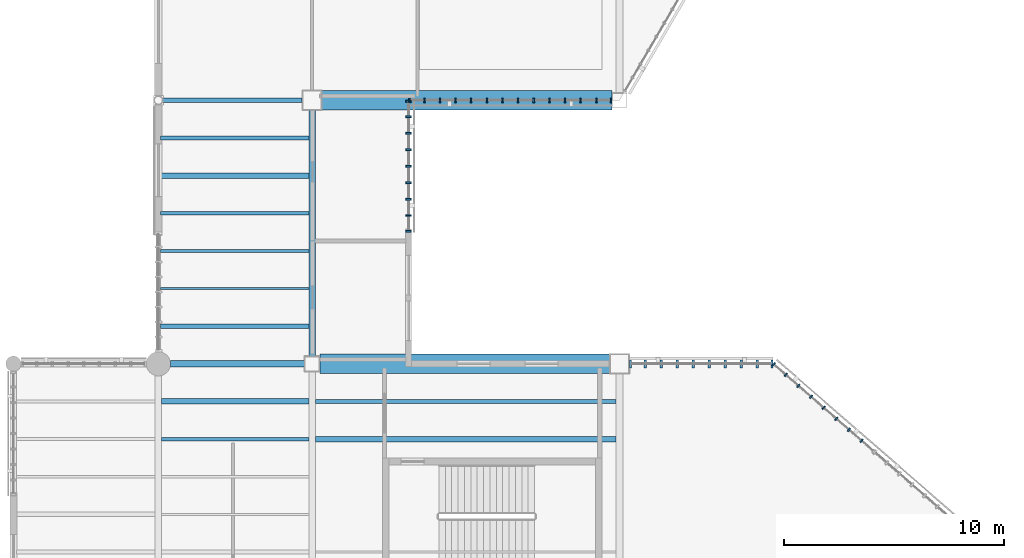
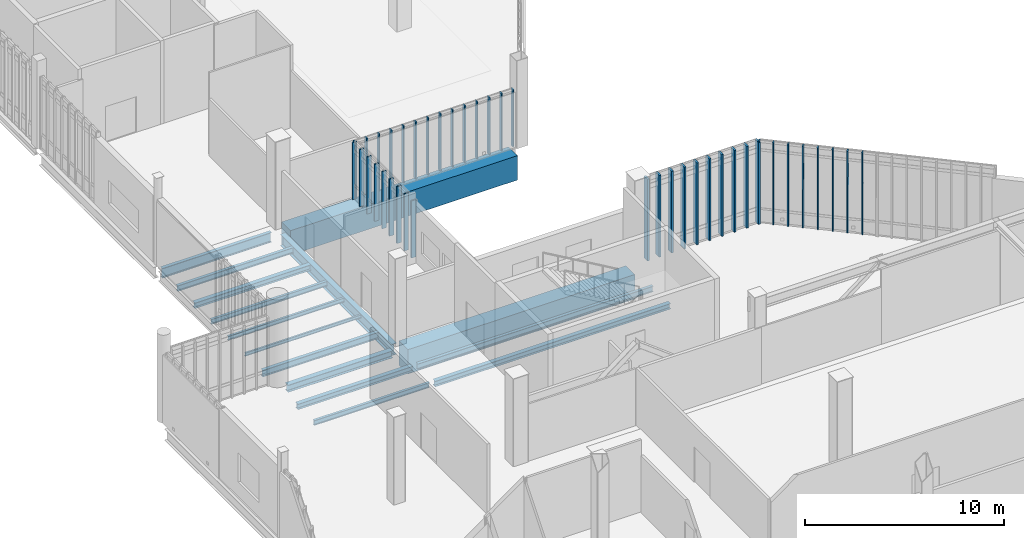
# One storey, part 40 of 135: 41 members, 15 beams, 4 elements without a shape of their own.
"""IFC4 building model written with IfcOpenShell, lengths in metres."""

from ifc_helpers import new_model, si_unit, direction, frame, origin, origin_2d, place, context, subcontext, project, spatial, rectangle, i_section, extrude, material, material_profile, profile_set, type_object, element, aggregate, save


model = new_model("IFC4")

# Units and contexts
model_context = context("Model", 3, precision=1e-05, world=origin(), true_north=direction((0.0, 1.0)))
body_context = subcontext(model_context, "Body", "Model", "MODEL_VIEW")
ifc_project = project(units=[si_unit("LENGTHUNIT", "METRE"), si_unit("AREAUNIT", "SQUARE_METRE"), si_unit("VOLUMEUNIT", "CUBIC_METRE"), si_unit("PLANEANGLEUNIT", "RADIAN"), si_unit("MASSUNIT", "GRAM", prefix="KILO")], contexts=[model_context])

# Site, building, storey
site_placement = place(None, origin())
site = spatial("IfcSite", under=ifc_project, at=site_placement, CompositionType="ELEMENT")
building_placement = place(site_placement, origin())
building = spatial("IfcBuilding", under=site, at=building_placement, Name="Larkvane Passage Sports Hall", CompositionType="ELEMENT")
storey_placement = place(building_placement, frame((0.0, 0.0, 16.800048828125)))
storey = spatial("IfcBuildingStorey", under=building, at=storey_placement, Name="L03", CompositionType="ELEMENT", Elevation=16.800048828125)

# Beams
ifc_material_1 = material(Name="Steel S355JR", Category="steel")
ifc_material_profile_1 = material_profile(ifc_material_1, i_section(OverallWidth=0.300048828125, OverallDepth=0.43994140625, WebThickness=0.010986328125, FlangeThickness=0.01806640625, FilletRadius=0.01806640625, at=origin_2d()), Name="H-440x300x11x18")
ifc_profile_set_1 = profile_set([ifc_material_profile_1], Name="Steel S355JR")
beam_type_1 = type_object("IfcBeamType", Name="BM-STL-H440", PredefinedType="BEAM", material=ifc_profile_set_1)
beam_1_placement = place(storey_placement, frame((125.14990234375, 51.60009765625, -0.56005859375), z_axis=(1.0, 0.0, 0.0), x_axis=(0.0, 1.0, 0.0)))
element("IfcBeam", 1, at=beam_1_placement, inside=storey, type_object=beam_type_1, Name="Girder BM5-X-L03-G-0991", PredefinedType="BEAM", context=body_context, shape_type="SweptSolid", body=[
    extrude(i_section(OverallWidth=0.300048828125, OverallDepth=0.43994140625, WebThickness=0.010986328125, FlangeThickness=0.01806640625, FilletRadius=0.01806640625, at=origin_2d()), origin(), (0.0, 0.0, 1.0), 6.10009765625),
])
ifc_material_profile_2 = material_profile(ifc_material_1, i_section(OverallWidth=0.199951171875, OverallDepth=0.60009765625, WebThickness=0.010986328125, FlangeThickness=0.01708984375, FilletRadius=0.01806640625, at=origin_2d()), Name="H-600x200x11x17")
ifc_profile_set_2 = profile_set([ifc_material_profile_2], Name="Steel S355JR")
beam_type_2 = type_object("IfcBeamType", Name="BM-STL-H600", PredefinedType="BEAM", material=ifc_profile_set_2)
beam_2_placement = place(storey_placement, frame((124.80322265625, 63.60009765625, -0.64013671875), z_axis=(1.0, 0.0, 0.0), x_axis=(0.0, 1.0, 0.0)))
element("IfcBeam", 2, at=beam_2_placement, inside=storey, type_object=beam_type_2, Name="Girder BM5-X-L03-H-0995", PredefinedType="BEAM", context=body_context, shape_type="SweptSolid", body=[
    extrude(i_section(OverallWidth=0.199951171875, OverallDepth=0.60009765625, WebThickness=0.010986328125, FlangeThickness=0.01708984375, FilletRadius=0.01806640625, at=origin_2d()), origin(), (0.0, 0.0, 1.0), 6.3466796875),
])
ifc_material_2 = material(Name="Steel S460N", Category="steel")
ifc_material_profile_3 = material_profile(ifc_material_2, i_section(OverallWidth=0.300048828125, OverallDepth=0.699951171875, WebThickness=0.012939453125, FlangeThickness=0.02392578125, FilletRadius=0.02197265625, at=origin_2d()), Name="H-700x300x13x24")
ifc_profile_set_3 = profile_set([ifc_material_profile_3], Name="Steel S460N")
beam_type_3 = type_object("IfcBeamType", Name="BM-STL-H700", PredefinedType="BEAM", material=ifc_profile_set_3)
beam_3_placement = place(storey_placement, frame((131.60009765625, 51.949951171875, -0.68994140625), z_axis=(0.0, 1.0, 0.0), x_axis=(-1.0, 0.0, 0.0)))
element("IfcBeam", 3, at=beam_3_placement, inside=storey, type_object=beam_type_3, Name="Girder BM5-Y-L03-18-1047", PredefinedType="BEAM", context=body_context, shape_type="SweptSolid", body=[
    extrude(i_section(OverallWidth=0.300048828125, OverallDepth=0.699951171875, WebThickness=0.012939453125, FlangeThickness=0.02392578125, FilletRadius=0.02197265625, at=origin_2d()), origin(), (0.0, 0.0, 1.0), 11.199951171875),
])

# Curtain wall, members
ifc_material_3 = material(Name="Thermally broken aluminium and low-E glazing", Category="aluminium")
curtain_wall_type_1 = type_object("IfcCurtainWallType", Name="CW-CLINIC", PredefinedType="USERDEFINED", material=ifc_material_3)
curtain_wall_1_placement = place(storey_placement, origin())
curtain_wall_1 = element("IfcCurtainWall", 4, at=curtain_wall_1_placement, inside=storey, type_object=curtain_wall_type_1, Name="Curtain wall CW5-L03-111", ObjectType="UNITISED CURTAIN WALL", PredefinedType="USERDEFINED")
ifc_material_4 = material(Name="Anodised aluminium 6063-T6", Category="aluminium")
ifc_material_profile_4 = material_profile(ifc_material_4, rectangle(XDim=0.110107421875, YDim=0.360107421875, at=origin_2d()), Name="ALU-MUL-110x360")
ifc_profile_set_4 = profile_set([ifc_material_profile_4], Name="Anodised aluminium 6063-T6")
member_type_1 = type_object("IfcMemberType", Name="CW-MUL-110x360", PredefinedType="MULLION", material=ifc_profile_set_4)
member_1_placement = place(storey_placement, frame((146.10107421875, 51.60009765625, 0.0), z_axis=(0.0, 0.0, 1.0), x_axis=(1.0, 0.0, 0.0)))
member_1 = element("IfcMember", 5, at=member_1_placement, type_object=member_type_1, Name="CW-05 mullion 1", PredefinedType="MULLION", context=body_context, shape_type="SweptSolid", body=[
    extrude(rectangle(XDim=0.110107421875, YDim=0.360107421875, at=origin_2d()), origin(), (0.0, 0.0, 1.0), 5.030029296875),
])
member_2_placement = place(storey_placement, frame((146.774169921875, 51.60009765625, 0.0), z_axis=(0.0, 0.0, 1.0), x_axis=(1.0, 0.0, 0.0)))
member_2 = element("IfcMember", 6, at=member_2_placement, type_object=member_type_1, Name="CW-05 mullion 2", PredefinedType="MULLION", context=body_context, shape_type="SweptSolid", body=[
    extrude(rectangle(XDim=0.110107421875, YDim=0.360107421875, at=origin_2d()), origin(), (0.0, 0.0, 1.0), 5.030029296875),
])
member_3_placement = place(storey_placement, frame((147.50244140625, 51.60009765625, 0.0), z_axis=(0.0, 0.0, 1.0), x_axis=(1.0, 0.0, 0.0)))
member_3 = element("IfcMember", 7, at=member_3_placement, type_object=member_type_1, Name="CW-05 mullion 3", PredefinedType="MULLION", context=body_context, shape_type="SweptSolid", body=[
    extrude(rectangle(XDim=0.110107421875, YDim=0.360107421875, at=origin_2d()), origin(), (0.0, 0.0, 1.0), 5.030029296875),
])
member_4_placement = place(storey_placement, frame((148.230712890625, 51.60009765625, 0.0), z_axis=(0.0, 0.0, 1.0), x_axis=(1.0, 0.0, 0.0)))
member_4 = element("IfcMember", 8, at=member_4_placement, type_object=member_type_1, Name="CW-05 mullion 4", PredefinedType="MULLION", context=body_context, shape_type="SweptSolid", body=[
    extrude(rectangle(XDim=0.110107421875, YDim=0.360107421875, at=origin_2d()), origin(), (0.0, 0.0, 1.0), 5.030029296875),
])
member_5_placement = place(storey_placement, frame((148.958984375, 51.60009765625, 0.0), z_axis=(0.0, 0.0, 1.0), x_axis=(1.0, 0.0, 0.0)))
member_5 = element("IfcMember", 9, at=member_5_placement, type_object=member_type_1, Name="CW-05 mullion 5", PredefinedType="MULLION", context=body_context, shape_type="SweptSolid", body=[
    extrude(rectangle(XDim=0.110107421875, YDim=0.360107421875, at=origin_2d()), origin(), (0.0, 0.0, 1.0), 5.030029296875),
])
member_6_placement = place(storey_placement, frame((149.68701171875, 51.60009765625, 0.0), z_axis=(0.0, 0.0, 1.0), x_axis=(1.0, 0.0, 0.0)))
member_6 = element("IfcMember", 10, at=member_6_placement, type_object=member_type_1, Name="CW-05 mullion 6", PredefinedType="MULLION", context=body_context, shape_type="SweptSolid", body=[
    extrude(rectangle(XDim=0.110107421875, YDim=0.360107421875, at=origin_2d()), origin(), (0.0, 0.0, 1.0), 5.030029296875),
])
member_7_placement = place(storey_placement, frame((150.415283203125, 51.60009765625, 0.0), z_axis=(0.0, 0.0, 1.0), x_axis=(1.0, 0.0, 0.0)))
member_7 = element("IfcMember", 11, at=member_7_placement, type_object=member_type_1, Name="CW-05 mullion 7", PredefinedType="MULLION", context=body_context, shape_type="SweptSolid", body=[
    extrude(rectangle(XDim=0.110107421875, YDim=0.360107421875, at=origin_2d()), origin(), (0.0, 0.0, 1.0), 5.030029296875),
])
member_8_placement = place(storey_placement, frame((151.1435546875, 51.60009765625, 0.0), z_axis=(0.0, 0.0, 1.0), x_axis=(1.0, 0.0, 0.0)))
member_8 = element("IfcMember", 12, at=member_8_placement, type_object=member_type_1, Name="CW-05 mullion 8", PredefinedType="MULLION", context=body_context, shape_type="SweptSolid", body=[
    extrude(rectangle(XDim=0.110107421875, YDim=0.360107421875, at=origin_2d()), origin(), (0.0, 0.0, 1.0), 5.030029296875),
])
member_9_placement = place(storey_placement, frame((151.871826171875, 51.60009765625, 0.0), z_axis=(0.0, 0.0, 1.0), x_axis=(1.0, 0.0, 0.0)))
member_9 = element("IfcMember", 13, at=member_9_placement, type_object=member_type_1, Name="CW-05 mullion 9", PredefinedType="MULLION", context=body_context, shape_type="SweptSolid", body=[
    extrude(rectangle(XDim=0.110107421875, YDim=0.360107421875, at=origin_2d()), origin(), (0.0, 0.0, 1.0), 5.030029296875),
])
member_10_placement = place(storey_placement, frame((152.544921875, 51.60009765625, 0.0), z_axis=(0.0, 0.0, 1.0), x_axis=(1.0, 0.0, 0.0)))
member_10 = element("IfcMember", 14, at=member_10_placement, type_object=member_type_1, Name="CW-05 mullion 10", PredefinedType="MULLION", context=body_context, shape_type="SweptSolid", body=[
    extrude(rectangle(XDim=0.110107421875, YDim=0.360107421875, at=origin_2d()), origin(), (0.0, 0.0, 1.0), 5.030029296875),
])
aggregate(curtain_wall_1, [member_1, member_2, member_3, member_4, member_5, member_6, member_7, member_8, member_9, member_10])

curtain_wall_type_2 = type_object("IfcCurtainWallType", Name="CW-UNIT-COURT", PredefinedType="USERDEFINED", material=ifc_material_3)
curtain_wall_2_placement = place(storey_placement, origin())
curtain_wall_2 = element("IfcCurtainWall", 15, at=curtain_wall_2_placement, inside=storey, type_object=curtain_wall_type_2, Name="Curtain wall CW5-L03-112", ObjectType="UNITISED CURTAIN WALL", PredefinedType="USERDEFINED")
ifc_material_profile_5 = material_profile(ifc_material_4, rectangle(XDim=0.06494140625, YDim=0.179931640625, at=origin_2d()), Name="ALU-MUL-65x180")
ifc_profile_set_5 = profile_set([ifc_material_profile_5], Name="Anodised aluminium 6063-T6")
member_type_2 = type_object("IfcMemberType", Name="CW-MUL-65x180", PredefinedType="MULLION", material=ifc_profile_set_5)
member_11_placement = place(storey_placement, frame((152.62451171875, 51.57861328125, 0.0), z_axis=(0.0, 0.0, 1.0), x_axis=(0.754605522159, -0.65617871493, 0.0)))
member_11 = element("IfcMember", 16, at=member_11_placement, type_object=member_type_2, Name="CW-01 mullion 1", PredefinedType="MULLION", context=body_context, shape_type="SweptSolid", body=[
    extrude(rectangle(XDim=0.06494140625, YDim=0.179931640625, at=origin_2d()), origin(), (0.0, 0.0, 1.0), 5.030029296875),
])
member_12_placement = place(storey_placement, frame((153.175048828125, 51.10009765625, 0.0), z_axis=(0.0, 0.0, 1.0), x_axis=(0.754605522159, -0.65617871493, 0.0)))
member_12 = element("IfcMember", 17, at=member_12_placement, type_object=member_type_2, Name="CW-01 mullion 2", PredefinedType="MULLION", context=body_context, shape_type="SweptSolid", body=[
    extrude(rectangle(XDim=0.06494140625, YDim=0.179931640625, at=origin_2d()), origin(), (0.0, 0.0, 1.0), 5.030029296875),
])
member_13_placement = place(storey_placement, frame((153.75, 50.60009765625, 0.0), z_axis=(0.0, 0.0, 1.0), x_axis=(0.754605522159, -0.65617871493, 0.0)))
member_13 = element("IfcMember", 18, at=member_13_placement, type_object=member_type_2, Name="CW-01 mullion 3", PredefinedType="MULLION", context=body_context, shape_type="SweptSolid", body=[
    extrude(rectangle(XDim=0.06494140625, YDim=0.179931640625, at=origin_2d()), origin(), (0.0, 0.0, 1.0), 5.030029296875),
])
member_14_placement = place(storey_placement, frame((154.324951171875, 50.10009765625, 0.0), z_axis=(0.0, 0.0, 1.0), x_axis=(0.754605522159, -0.65617871493, 0.0)))
member_14 = element("IfcMember", 19, at=member_14_placement, type_object=member_type_2, Name="CW-01 mullion 4", PredefinedType="MULLION", context=body_context, shape_type="SweptSolid", body=[
    extrude(rectangle(XDim=0.06494140625, YDim=0.179931640625, at=origin_2d()), origin(), (0.0, 0.0, 1.0), 5.030029296875),
])
member_15_placement = place(storey_placement, frame((154.89990234375, 49.60009765625, 0.0), z_axis=(0.0, 0.0, 1.0), x_axis=(0.754605522159, -0.65617871493, 0.0)))
member_15 = element("IfcMember", 20, at=member_15_placement, type_object=member_type_2, Name="CW-01 mullion 5", PredefinedType="MULLION", context=body_context, shape_type="SweptSolid", body=[
    extrude(rectangle(XDim=0.06494140625, YDim=0.179931640625, at=origin_2d()), origin(), (0.0, 0.0, 1.0), 5.030029296875),
])
member_16_placement = place(storey_placement, frame((155.47509765625, 49.10009765625, 0.0), z_axis=(0.0, 0.0, 1.0), x_axis=(0.754605522159, -0.65617871493, 0.0)))
member_16 = element("IfcMember", 21, at=member_16_placement, type_object=member_type_2, Name="CW-01 mullion 6", PredefinedType="MULLION", context=body_context, shape_type="SweptSolid", body=[
    extrude(rectangle(XDim=0.06494140625, YDim=0.179931640625, at=origin_2d()), origin(), (0.0, 0.0, 1.0), 5.030029296875),
])
member_17_placement = place(storey_placement, frame((156.050048828125, 48.60009765625, 0.0), z_axis=(0.0, 0.0, 1.0), x_axis=(0.754605522159, -0.65617871493, 0.0)))
member_17 = element("IfcMember", 22, at=member_17_placement, type_object=member_type_2, Name="CW-01 mullion 7", PredefinedType="MULLION", context=body_context, shape_type="SweptSolid", body=[
    extrude(rectangle(XDim=0.06494140625, YDim=0.179931640625, at=origin_2d()), origin(), (0.0, 0.0, 1.0), 5.030029296875),
])
member_18_placement = place(storey_placement, frame((156.625, 48.10009765625, 0.0), z_axis=(0.0, 0.0, 1.0), x_axis=(0.754605522159, -0.65617871493, 0.0)))
member_18 = element("IfcMember", 23, at=member_18_placement, type_object=member_type_2, Name="CW-01 mullion 8", PredefinedType="MULLION", context=body_context, shape_type="SweptSolid", body=[
    extrude(rectangle(XDim=0.06494140625, YDim=0.179931640625, at=origin_2d()), origin(), (0.0, 0.0, 1.0), 5.030029296875),
])
aggregate(curtain_wall_2, [member_11, member_12, member_13, member_14, member_15, member_16, member_17, member_18])

curtain_wall_type_3 = type_object("IfcCurtainWallType", Name="CW-UNIT-VEIL", PredefinedType="USERDEFINED", material=ifc_material_3)
curtain_wall_3_placement = place(storey_placement, origin())
curtain_wall_3 = element("IfcCurtainWall", 24, at=curtain_wall_3_placement, inside=storey, type_object=curtain_wall_type_3, Name="Curtain wall CW5-L03-109", ObjectType="UNITISED CURTAIN WALL", PredefinedType="USERDEFINED")
ifc_material_profile_6 = material_profile(ifc_material_4, rectangle(XDim=0.070068359375, YDim=0.199951171875, at=origin_2d()), Name="ALU-MUL-70x200")
ifc_profile_set_6 = profile_set([ifc_material_profile_6], Name="Anodised aluminium 6063-T6")
member_type_3 = type_object("IfcMemberType", Name="CW-MUL-70x200", PredefinedType="MULLION", material=ifc_profile_set_6)
member_19_placement = place(storey_placement, frame((145.218994140625, 63.60009765625, 0.0), z_axis=(0.0, 0.0, 1.0), x_axis=(-1.0, 0.0, 0.0)))
member_19 = element("IfcMember", 25, at=member_19_placement, type_object=member_type_3, Name="CW-02 mullion 1", PredefinedType="MULLION", context=body_context, shape_type="SweptSolid", body=[
    extrude(rectangle(XDim=0.070068359375, YDim=0.199951171875, at=origin_2d()), origin(), (0.0, 0.0, 1.0), 3.508056640625),
])
member_20_placement = place(storey_placement, frame((144.542236328125, 63.60009765625, 0.0), z_axis=(0.0, 0.0, 1.0), x_axis=(-1.0, 0.0, 0.0)))
member_20 = element("IfcMember", 26, at=member_20_placement, type_object=member_type_3, Name="CW-02 mullion 2", PredefinedType="MULLION", context=body_context, shape_type="SweptSolid", body=[
    extrude(rectangle(XDim=0.070068359375, YDim=0.199951171875, at=origin_2d()), origin(), (0.0, 0.0, 1.0), 3.508056640625),
])
member_21_placement = place(storey_placement, frame((143.830322265625, 63.60009765625, 0.0), z_axis=(0.0, 0.0, 1.0), x_axis=(-1.0, 0.0, 0.0)))
member_21 = element("IfcMember", 27, at=member_21_placement, type_object=member_type_3, Name="CW-02 mullion 3", PredefinedType="MULLION", context=body_context, shape_type="SweptSolid", body=[
    extrude(rectangle(XDim=0.070068359375, YDim=0.199951171875, at=origin_2d()), origin(), (0.0, 0.0, 1.0), 3.508056640625),
])
member_22_placement = place(storey_placement, frame((143.118408203125, 63.60009765625, 0.0), z_axis=(0.0, 0.0, 1.0), x_axis=(-1.0, 0.0, 0.0)))
member_22 = element("IfcMember", 28, at=member_22_placement, type_object=member_type_3, Name="CW-02 mullion 4", PredefinedType="MULLION", context=body_context, shape_type="SweptSolid", body=[
    extrude(rectangle(XDim=0.070068359375, YDim=0.199951171875, at=origin_2d()), origin(), (0.0, 0.0, 1.0), 3.508056640625),
])
member_23_placement = place(storey_placement, frame((142.406494140625, 63.60009765625, 0.0), z_axis=(0.0, 0.0, 1.0), x_axis=(-1.0, 0.0, 0.0)))
member_23 = element("IfcMember", 29, at=member_23_placement, type_object=member_type_3, Name="CW-02 mullion 5", PredefinedType="MULLION", context=body_context, shape_type="SweptSolid", body=[
    extrude(rectangle(XDim=0.070068359375, YDim=0.199951171875, at=origin_2d()), origin(), (0.0, 0.0, 1.0), 3.508056640625),
])
member_24_placement = place(storey_placement, frame((141.69482421875, 63.60009765625, 0.0), z_axis=(0.0, 0.0, 1.0), x_axis=(-1.0, 0.0, 0.0)))
member_24 = element("IfcMember", 30, at=member_24_placement, type_object=member_type_3, Name="CW-02 mullion 6", PredefinedType="MULLION", context=body_context, shape_type="SweptSolid", body=[
    extrude(rectangle(XDim=0.070068359375, YDim=0.199951171875, at=origin_2d()), origin(), (0.0, 0.0, 1.0), 3.508056640625),
])
member_25_placement = place(storey_placement, frame((140.98291015625, 63.60009765625, 0.0), z_axis=(0.0, 0.0, 1.0), x_axis=(-1.0, 0.0, 0.0)))
member_25 = element("IfcMember", 31, at=member_25_placement, type_object=member_type_3, Name="CW-02 mullion 7", PredefinedType="MULLION", context=body_context, shape_type="SweptSolid", body=[
    extrude(rectangle(XDim=0.070068359375, YDim=0.199951171875, at=origin_2d()), origin(), (0.0, 0.0, 1.0), 3.508056640625),
])
member_26_placement = place(storey_placement, frame((140.27099609375, 63.60009765625, 0.0), z_axis=(0.0, 0.0, 1.0), x_axis=(-1.0, 0.0, 0.0)))
member_26 = element("IfcMember", 32, at=member_26_placement, type_object=member_type_3, Name="CW-02 mullion 8", PredefinedType="MULLION", context=body_context, shape_type="SweptSolid", body=[
    extrude(rectangle(XDim=0.070068359375, YDim=0.199951171875, at=origin_2d()), origin(), (0.0, 0.0, 1.0), 3.508056640625),
])
member_27_placement = place(storey_placement, frame((139.559326171875, 63.60009765625, 0.0), z_axis=(0.0, 0.0, 1.0), x_axis=(-1.0, 0.0, 0.0)))
member_27 = element("IfcMember", 33, at=member_27_placement, type_object=member_type_3, Name="CW-02 mullion 9", PredefinedType="MULLION", context=body_context, shape_type="SweptSolid", body=[
    extrude(rectangle(XDim=0.070068359375, YDim=0.199951171875, at=origin_2d()), origin(), (0.0, 0.0, 1.0), 3.508056640625),
])
member_28_placement = place(storey_placement, frame((138.847412109375, 63.60009765625, 0.0), z_axis=(0.0, 0.0, 1.0), x_axis=(-1.0, 0.0, 0.0)))
member_28 = element("IfcMember", 34, at=member_28_placement, type_object=member_type_3, Name="CW-02 mullion 10", PredefinedType="MULLION", context=body_context, shape_type="SweptSolid", body=[
    extrude(rectangle(XDim=0.070068359375, YDim=0.199951171875, at=origin_2d()), origin(), (0.0, 0.0, 1.0), 3.508056640625),
])
member_29_placement = place(storey_placement, frame((138.135498046875, 63.60009765625, 0.0), z_axis=(0.0, 0.0, 1.0), x_axis=(-1.0, 0.0, 0.0)))
member_29 = element("IfcMember", 35, at=member_29_placement, type_object=member_type_3, Name="CW-02 mullion 11", PredefinedType="MULLION", context=body_context, shape_type="SweptSolid", body=[
    extrude(rectangle(XDim=0.070068359375, YDim=0.199951171875, at=origin_2d()), origin(), (0.0, 0.0, 1.0), 3.508056640625),
])
member_30_placement = place(storey_placement, frame((137.423583984375, 63.60009765625, 0.0), z_axis=(0.0, 0.0, 1.0), x_axis=(-1.0, 0.0, 0.0)))
member_30 = element("IfcMember", 36, at=member_30_placement, type_object=member_type_3, Name="CW-02 mullion 12", PredefinedType="MULLION", context=body_context, shape_type="SweptSolid", body=[
    extrude(rectangle(XDim=0.070068359375, YDim=0.199951171875, at=origin_2d()), origin(), (0.0, 0.0, 1.0), 3.508056640625),
])
member_31_placement = place(storey_placement, frame((136.7119140625, 63.60009765625, 0.0), z_axis=(0.0, 0.0, 1.0), x_axis=(-1.0, 0.0, 0.0)))
member_31 = element("IfcMember", 37, at=member_31_placement, type_object=member_type_3, Name="CW-02 mullion 13", PredefinedType="MULLION", context=body_context, shape_type="SweptSolid", body=[
    extrude(rectangle(XDim=0.070068359375, YDim=0.199951171875, at=origin_2d()), origin(), (0.0, 0.0, 1.0), 3.508056640625),
])
member_32_placement = place(storey_placement, frame((136.034912109375, 63.60009765625, 0.0), z_axis=(0.0, 0.0, 1.0), x_axis=(-1.0, 0.0, 0.0)))
member_32 = element("IfcMember", 38, at=member_32_placement, type_object=member_type_3, Name="CW-02 mullion 14", PredefinedType="MULLION", context=body_context, shape_type="SweptSolid", body=[
    extrude(rectangle(XDim=0.070068359375, YDim=0.199951171875, at=origin_2d()), origin(), (0.0, 0.0, 1.0), 3.508056640625),
])
aggregate(curtain_wall_3, [member_19, member_20, member_21, member_22, member_23, member_24, member_25, member_26, member_27, member_28, member_29, member_30, member_31, member_32])

curtain_wall_type_4 = type_object("IfcCurtainWallType", Name="CW-STICK-FOYER", PredefinedType="USERDEFINED", material=ifc_material_3)
curtain_wall_4_placement = place(storey_placement, origin())
curtain_wall_4 = element("IfcCurtainWall", 39, at=curtain_wall_4_placement, inside=storey, type_object=curtain_wall_type_4, Name="Curtain wall CW5-L03-110", ObjectType="STICK CURTAIN WALL", PredefinedType="USERDEFINED")
ifc_material_profile_7 = material_profile(ifc_material_4, rectangle(XDim=0.080078125, YDim=0.25, at=origin_2d()), Name="ALU-MUL-80x250")
ifc_profile_set_7 = profile_set([ifc_material_profile_7], Name="Anodised aluminium 6063-T6")
member_type_4 = type_object("IfcMemberType", Name="CW-MUL-80x250", PredefinedType="MULLION", material=ifc_profile_set_7)
member_33_placement = place(storey_placement, frame((136.0, 63.56005859375, 0.0), z_axis=(0.0, 0.0, 1.0), x_axis=(0.0, -1.0, 0.0)))
member_33 = element("IfcMember", 40, at=member_33_placement, type_object=member_type_4, Name="CW-03 mullion 1", PredefinedType="MULLION", context=body_context, shape_type="SweptSolid", body=[
    extrude(rectangle(XDim=0.080078125, YDim=0.25, at=origin_2d()), origin(), (0.0, 0.0, 1.0), 3.508056640625),
])
member_34_placement = place(storey_placement, frame((136.0, 62.85009765625, 0.0), z_axis=(0.0, 0.0, 1.0), x_axis=(0.0, -1.0, 0.0)))
member_34 = element("IfcMember", 41, at=member_34_placement, type_object=member_type_4, Name="CW-03 mullion 2", PredefinedType="MULLION", context=body_context, shape_type="SweptSolid", body=[
    extrude(rectangle(XDim=0.080078125, YDim=0.25, at=origin_2d()), origin(), (0.0, 0.0, 1.0), 3.508056640625),
])
member_35_placement = place(storey_placement, frame((136.0, 62.10009765625, 0.0), z_axis=(0.0, 0.0, 1.0), x_axis=(0.0, -1.0, 0.0)))
member_35 = element("IfcMember", 42, at=member_35_placement, type_object=member_type_4, Name="CW-03 mullion 3", PredefinedType="MULLION", context=body_context, shape_type="SweptSolid", body=[
    extrude(rectangle(XDim=0.080078125, YDim=0.25, at=origin_2d()), origin(), (0.0, 0.0, 1.0), 3.508056640625),
])
member_36_placement = place(storey_placement, frame((136.0, 61.35009765625, 0.0), z_axis=(0.0, 0.0, 1.0), x_axis=(0.0, -1.0, 0.0)))
member_36 = element("IfcMember", 43, at=member_36_placement, type_object=member_type_4, Name="CW-03 mullion 4", PredefinedType="MULLION", context=body_context, shape_type="SweptSolid", body=[
    extrude(rectangle(XDim=0.080078125, YDim=0.25, at=origin_2d()), origin(), (0.0, 0.0, 1.0), 3.508056640625),
])
member_37_placement = place(storey_placement, frame((136.0, 60.60009765625, 0.0), z_axis=(0.0, 0.0, 1.0), x_axis=(0.0, -1.0, 0.0)))
member_37 = element("IfcMember", 44, at=member_37_placement, type_object=member_type_4, Name="CW-03 mullion 5", PredefinedType="MULLION", context=body_context, shape_type="SweptSolid", body=[
    extrude(rectangle(XDim=0.080078125, YDim=0.25, at=origin_2d()), origin(), (0.0, 0.0, 1.0), 3.508056640625),
])
member_38_placement = place(storey_placement, frame((136.0, 59.85009765625, 0.0), z_axis=(0.0, 0.0, 1.0), x_axis=(0.0, -1.0, 0.0)))
member_38 = element("IfcMember", 45, at=member_38_placement, type_object=member_type_4, Name="CW-03 mullion 6", PredefinedType="MULLION", context=body_context, shape_type="SweptSolid", body=[
    extrude(rectangle(XDim=0.080078125, YDim=0.25, at=origin_2d()), origin(), (0.0, 0.0, 1.0), 3.508056640625),
])
member_39_placement = place(storey_placement, frame((136.0, 59.10009765625, 0.0), z_axis=(0.0, 0.0, 1.0), x_axis=(0.0, -1.0, 0.0)))
member_39 = element("IfcMember", 46, at=member_39_placement, type_object=member_type_4, Name="CW-03 mullion 7", PredefinedType="MULLION", context=body_context, shape_type="SweptSolid", body=[
    extrude(rectangle(XDim=0.080078125, YDim=0.25, at=origin_2d()), origin(), (0.0, 0.0, 1.0), 3.508056640625),
])
member_40_placement = place(storey_placement, frame((136.0, 58.35009765625, 0.0), z_axis=(0.0, 0.0, 1.0), x_axis=(0.0, -1.0, 0.0)))
member_40 = element("IfcMember", 47, at=member_40_placement, type_object=member_type_4, Name="CW-03 mullion 8", PredefinedType="MULLION", context=body_context, shape_type="SweptSolid", body=[
    extrude(rectangle(XDim=0.080078125, YDim=0.25, at=origin_2d()), origin(), (0.0, 0.0, 1.0), 3.508056640625),
])
member_41_placement = place(storey_placement, frame((136.0, 57.639892578125, 0.0), z_axis=(0.0, 0.0, 1.0), x_axis=(0.0, -1.0, 0.0)))
member_41 = element("IfcMember", 48, at=member_41_placement, type_object=member_type_4, Name="CW-03 mullion 9", PredefinedType="MULLION", context=body_context, shape_type="SweptSolid", body=[
    extrude(rectangle(XDim=0.080078125, YDim=0.25, at=origin_2d()), origin(), (0.0, 0.0, 1.0), 3.508056640625),
])
aggregate(curtain_wall_4, [member_33, member_34, member_35, member_36, member_37, member_38, member_39, member_40, member_41])

# Beams
ifc_material_profile_8 = material_profile(ifc_material_1, i_section(OverallWidth=0.10009765625, OverallDepth=0.199951171875, WebThickness=0.005615234375, FlangeThickness=0.008056640625, FilletRadius=0.008056640625, at=origin_2d()), Name="H-200x100x5.5x8")
ifc_profile_set_8 = profile_set([ifc_material_profile_8], Name="Steel S355JR")
beam_type_4 = type_object("IfcBeamType", Name="JST-STL-H200", PredefinedType="JOIST", material=ifc_profile_set_8)
beam_4_placement = place(storey_placement, frame((124.699951171875, 55.028564453125, -0.43994140625), z_axis=(1.0, 0.0, 0.0), x_axis=(0.0, 1.0, 0.0)))
element("IfcBeam", 49, at=beam_4_placement, inside=storey, type_object=beam_type_4, Name="Composite joist L03 17/G-2", PredefinedType="JOIST", context=body_context, shape_type="SweptSolid", body=[
    extrude(i_section(OverallWidth=0.10009765625, OverallDepth=0.199951171875, WebThickness=0.005615234375, FlangeThickness=0.008056640625, FilletRadius=0.008056640625, at=origin_2d()), origin(), (0.0, 0.0, 1.0), 6.75),
])
ifc_material_profile_9 = material_profile(ifc_material_1, i_section(OverallWidth=0.125, OverallDepth=0.25, WebThickness=0.006103515625, FlangeThickness=0.009033203125, FilletRadius=0.008056640625, at=origin_2d()), Name="H-250x125x6x9")
ifc_profile_set_9 = profile_set([ifc_material_profile_9], Name="Steel S355JR")
beam_type_5 = type_object("IfcBeamType", Name="JST-STL-H250", PredefinedType="JOIST", material=ifc_profile_set_9)
beam_5_placement = place(storey_placement, frame((124.699951171875, 56.742919921875, -0.465087890625), z_axis=(1.0, 0.0, 0.0), x_axis=(0.0, 1.0, 0.0)))
element("IfcBeam", 50, at=beam_5_placement, inside=storey, type_object=beam_type_5, Name="Composite joist L03 17/G-3", PredefinedType="JOIST", context=body_context, shape_type="SweptSolid", body=[
    extrude(i_section(OverallWidth=0.125, OverallDepth=0.25, WebThickness=0.006103515625, FlangeThickness=0.009033203125, FilletRadius=0.008056640625, at=origin_2d()), origin(), (0.0, 0.0, 1.0), 6.75),
])
ifc_material_profile_10 = material_profile(ifc_material_1, i_section(OverallWidth=0.14990234375, OverallDepth=0.300048828125, WebThickness=0.006591796875, FlangeThickness=0.009033203125, FilletRadius=0.012939453125, at=origin_2d()), Name="H-300x150x6.5x9")
ifc_profile_set_10 = profile_set([ifc_material_profile_10], Name="Steel S355JR")
beam_type_6 = type_object("IfcBeamType", Name="JST-STL-H300", PredefinedType="JOIST", material=ifc_profile_set_10)
beam_6_placement = place(storey_placement, frame((124.75, 48.17138671875, -0.489990234375), z_axis=(1.0, 0.0, 0.0), x_axis=(0.0, 1.0, 0.0)))
element("IfcBeam", 51, at=beam_6_placement, inside=storey, type_object=beam_type_6, Name="Composite joist L03 17/F-5", PredefinedType="JOIST", context=body_context, shape_type="SweptSolid", body=[
    extrude(i_section(OverallWidth=0.14990234375, OverallDepth=0.300048828125, WebThickness=0.006591796875, FlangeThickness=0.009033203125, FilletRadius=0.012939453125, at=origin_2d()), origin(), (0.0, 0.0, 1.0), 6.699951171875),
])
beam_7_placement = place(storey_placement, frame((124.699951171875, 58.45703125, -0.489990234375), z_axis=(1.0, 0.0, 0.0), x_axis=(0.0, 1.0, 0.0)))
element("IfcBeam", 52, at=beam_7_placement, inside=storey, type_object=beam_type_6, Name="Composite joist L03 17/G-4", PredefinedType="JOIST", context=body_context, shape_type="SweptSolid", body=[
    extrude(i_section(OverallWidth=0.14990234375, OverallDepth=0.300048828125, WebThickness=0.006591796875, FlangeThickness=0.009033203125, FilletRadius=0.012939453125, at=origin_2d()), origin(), (0.0, 0.0, 1.0), 6.75),
])
ifc_material_profile_11 = material_profile(ifc_material_1, i_section(OverallWidth=0.25, OverallDepth=0.340087890625, WebThickness=0.009033203125, FlangeThickness=0.013916015625, FilletRadius=0.012939453125, at=origin_2d()), Name="H-340x250x9x14")
ifc_profile_set_11 = profile_set([ifc_material_profile_11], Name="Steel S355JR")
beam_type_7 = type_object("IfcBeamType", Name="JST-STL-H340", PredefinedType="JOIST", material=ifc_profile_set_11)
beam_8_placement = place(storey_placement, frame((124.75, 49.8857421875, -0.510009765625), z_axis=(1.0, 0.0, 0.0), x_axis=(0.0, 1.0, 0.0)))
element("IfcBeam", 53, at=beam_8_placement, inside=storey, type_object=beam_type_7, Name="Composite joist L03 17/F-6", PredefinedType="JOIST", context=body_context, shape_type="SweptSolid", body=[
    extrude(i_section(OverallWidth=0.25, OverallDepth=0.340087890625, WebThickness=0.009033203125, FlangeThickness=0.013916015625, FilletRadius=0.012939453125, at=origin_2d()), origin(), (0.0, 0.0, 1.0), 6.699951171875),
])
beam_9_placement = place(storey_placement, frame((124.699951171875, 60.17138671875, -0.510009765625), z_axis=(1.0, 0.0, 0.0), x_axis=(0.0, 1.0, 0.0)))
element("IfcBeam", 54, at=beam_9_placement, inside=storey, type_object=beam_type_7, Name="Composite joist L03 17/G-5", PredefinedType="JOIST", context=body_context, shape_type="SweptSolid", body=[
    extrude(i_section(OverallWidth=0.25, OverallDepth=0.340087890625, WebThickness=0.009033203125, FlangeThickness=0.013916015625, FilletRadius=0.012939453125, at=origin_2d()), origin(), (0.0, 0.0, 1.0), 6.75),
])
beam_10_placement = place(storey_placement, frame((131.75, 48.17138671875, -0.510009765625), z_axis=(1.0, 0.0, 0.0), x_axis=(0.0, 1.0, 0.0)))
element("IfcBeam", 55, at=beam_10_placement, inside=storey, type_object=beam_type_7, Name="Composite joist L03 18/F-5", PredefinedType="JOIST", context=body_context, shape_type="SweptSolid", body=[
    extrude(i_section(OverallWidth=0.25, OverallDepth=0.340087890625, WebThickness=0.009033203125, FlangeThickness=0.013916015625, FilletRadius=0.012939453125, at=origin_2d()), origin(), (0.0, 0.0, 1.0), 13.699951171875),
])
ifc_material_profile_12 = material_profile(ifc_material_1, i_section(OverallWidth=0.175048828125, OverallDepth=0.35009765625, WebThickness=0.007080078125, FlangeThickness=0.010986328125, FilletRadius=0.012939453125, at=origin_2d()), Name="H-350x175x7x11")
ifc_profile_set_12 = profile_set([ifc_material_profile_12], Name="Steel S355JR")
beam_type_8 = type_object("IfcBeamType", Name="JST-STL-H350", PredefinedType="JOIST", material=ifc_profile_set_12)
beam_11_placement = place(storey_placement, frame((124.699951171875, 61.8857421875, -0.51513671875), z_axis=(1.0, 0.0, 0.0), x_axis=(0.0, 1.0, 0.0)))
element("IfcBeam", 56, at=beam_11_placement, inside=storey, type_object=beam_type_8, Name="Composite joist L03 17/G-6", PredefinedType="JOIST", context=body_context, shape_type="SweptSolid", body=[
    extrude(i_section(OverallWidth=0.175048828125, OverallDepth=0.35009765625, WebThickness=0.007080078125, FlangeThickness=0.010986328125, FilletRadius=0.012939453125, at=origin_2d()), origin(), (0.0, 0.0, 1.0), 6.75),
])
beam_12_placement = place(storey_placement, frame((131.75, 49.8857421875, -0.51513671875), z_axis=(1.0, 0.0, 0.0), x_axis=(0.0, 1.0, 0.0)))
element("IfcBeam", 57, at=beam_12_placement, inside=storey, type_object=beam_type_8, Name="Composite joist L03 18/F-6", PredefinedType="JOIST", context=body_context, shape_type="SweptSolid", body=[
    extrude(i_section(OverallWidth=0.175048828125, OverallDepth=0.35009765625, WebThickness=0.007080078125, FlangeThickness=0.010986328125, FilletRadius=0.012939453125, at=origin_2d()), origin(), (0.0, 0.0, 1.0), 13.699951171875),
])
ifc_material_profile_13 = material_profile(ifc_material_1, i_section(OverallWidth=0.199951171875, OverallDepth=0.39990234375, WebThickness=0.008056640625, FlangeThickness=0.012939453125, FilletRadius=0.012939453125, at=origin_2d()), Name="H-400x200x8x13")
ifc_profile_set_13 = profile_set([ifc_material_profile_13], Name="Steel S355JR")
beam_type_9 = type_object("IfcBeamType", Name="JST-STL-H400", PredefinedType="JOIST", material=ifc_profile_set_13)
beam_13_placement = place(storey_placement, frame((124.699951171875, 53.314208984375, -0.5400390625), z_axis=(1.0, 0.0, 0.0), x_axis=(0.0, 1.0, 0.0)))
element("IfcBeam", 58, at=beam_13_placement, inside=storey, type_object=beam_type_9, Name="Composite joist L03 17/G-1", PredefinedType="JOIST", context=body_context, shape_type="SweptSolid", body=[
    extrude(i_section(OverallWidth=0.199951171875, OverallDepth=0.39990234375, WebThickness=0.008056640625, FlangeThickness=0.012939453125, FilletRadius=0.012939453125, at=origin_2d()), origin(), (0.0, 0.0, 1.0), 6.75),
])
ifc_material_5 = material(Name="Concrete C50/60", Category="concrete")
ifc_material_profile_14 = material_profile(ifc_material_5, rectangle(XDim=0.89990234375, YDim=1.5, at=origin_2d()), Name="PT-GIR-900x1500")
ifc_profile_set_14 = profile_set([ifc_material_profile_14], Name="Concrete C50/60")
beam_type_10 = type_object("IfcBeamType", Name="PTG-900x1500", PredefinedType="BEAM", material=ifc_profile_set_14)
for number, where, z_axis, x_axis, name in (
    (59, (131.949951171875, 51.60009765625, -1.090087890625), (1.0, 0.0, 0.0), (0.0, 1.0, 0.0), "Post-tensioned transfer girder BM5-X-L03-G-0992"),
    (60, (132.050048828125, 63.60009765625, -1.090087890625), (1.0, 0.0, 0.0), (0.0, 1.0, 0.0), "Post-tensioned transfer girder BM5-X-L03-H-0996"),
):
    element("IfcBeam", number, at=place(storey_placement, frame(where, z_axis=z_axis, x_axis=x_axis)), inside=storey, type_object=beam_type_10, Name=name, PredefinedType="BEAM", context=body_context, shape_type="SweptSolid", body=[
        extrude(rectangle(XDim=0.89990234375, YDim=1.5, at=origin_2d()), origin(), (0.0, 0.0, 1.0), 13.199951171875),
    ])

save(model, "model.ifc")
